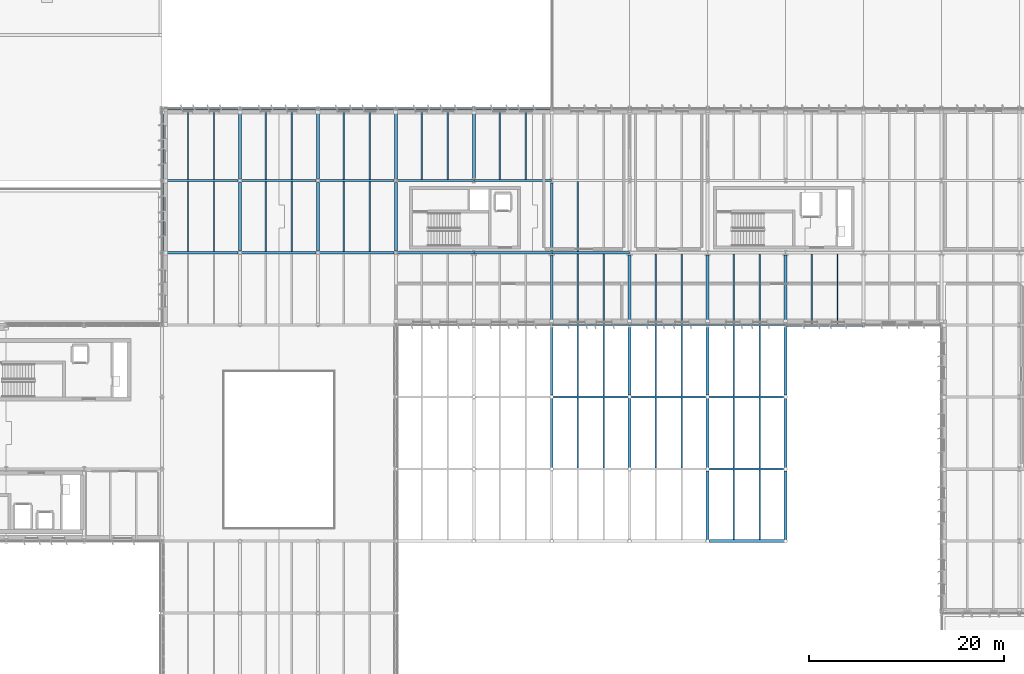
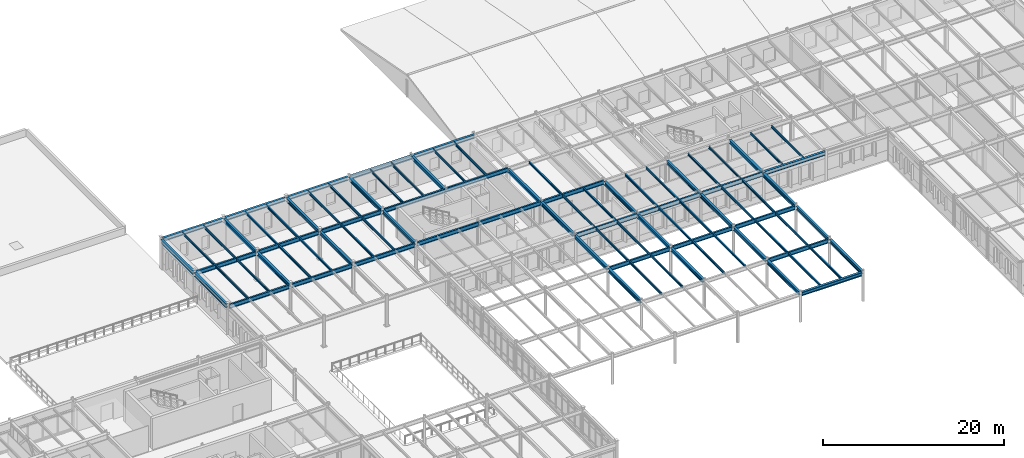
# One storey, part 25 of 63: 88 beams.
"""IFC4 building model written with IfcOpenShell, lengths in metres."""

from ifc_helpers import new_model, si_unit, direction, frame, origin, origin_2d, place, context, subcontext, project, spatial, i_section, extrude, material, material_profile, profile_set, type_object, element, save


model = new_model("IFC4")

# Units and contexts
model_context = context("Model", 3, precision=1e-05, world=origin(), true_north=direction((0.0, 1.0)))
body_context = subcontext(model_context, "Body", "Model", "MODEL_VIEW")
ifc_project = project(units=[si_unit("LENGTHUNIT", "METRE"), si_unit("AREAUNIT", "SQUARE_METRE"), si_unit("VOLUMEUNIT", "CUBIC_METRE"), si_unit("PLANEANGLEUNIT", "RADIAN"), si_unit("MASSUNIT", "GRAM", prefix="KILO")], contexts=[model_context])

# Site, building, storey
site_placement = place(None, origin())
site = spatial("IfcSite", under=ifc_project, at=site_placement, CompositionType="ELEMENT")
building_placement = place(site_placement, origin())
building = spatial("IfcBuilding", under=site, at=building_placement, Name="Valkorina Park Police Headquarters", CompositionType="ELEMENT")
storey_placement = place(building_placement, frame((0.0, 0.0, 9.89990234375)))
storey = spatial("IfcBuildingStorey", under=building, at=storey_placement, Name="L03", CompositionType="ELEMENT", Elevation=9.89990234375)

# Beams
ifc_material = material(Name="Steel S355", Category="steel")
ifc_material_profile_1 = material_profile(ifc_material, i_section(OverallWidth=0.300048828125, OverallDepth=0.489990234375, WebThickness=0.011962890625, FlangeThickness=0.02294921875, FilletRadius=0.027099609375, at=origin_2d()), Name="HEA 500")
ifc_profile_set_1 = profile_set([ifc_material_profile_1], Name="Steel S355")
beam_type_1 = type_object("IfcBeamType", Name="BM-S355-HEA500-BM", PredefinedType="BEAM", material=ifc_profile_set_1)
for number, where, z_axis, x_axis, name in (
    (1, (64.800048828125, 66.77783203125, 3.675048828125), (0.0, 1.0, 0.0), (-1.0, 0.0, 0.0), "L03 Framing Beam 2020"),
    (2, (64.800048828125, 74.177734375, 3.675048828125), (0.0, 1.0, 0.0), (-1.0, 0.0, 0.0), "L03 Framing Beam 2023"),
    (3, (72.800048828125, 66.77783203125, 3.675048828125), (0.0, 1.0, 0.0), (-1.0, 0.0, 0.0), "L03 Framing Beam 2035"),
    (4, (72.800048828125, 74.177734375, 3.675048828125), (0.0, 1.0, 0.0), (-1.0, 0.0, 0.0), "L03 Framing Beam 2038"),
    (5, (80.800048828125, 66.77783203125, 3.675048828125), (0.0, 1.0, 0.0), (-1.0, 0.0, 0.0), "L03 Framing Beam 2055"),
    (6, (80.800048828125, 74.177734375, 3.675048828125), (0.0, 1.0, 0.0), (-1.0, 0.0, 0.0), "L03 Framing Beam 2056"),
):
    element("IfcBeam", number, at=place(storey_placement, frame(where, z_axis=z_axis, x_axis=x_axis)), inside=storey, type_object=beam_type_1, Name=name, PredefinedType="BEAM", context=body_context, shape_type="SweptSolid", body=[
        extrude(i_section(OverallWidth=0.300048828125, OverallDepth=0.489990234375, WebThickness=0.011962890625, FlangeThickness=0.02294921875, FilletRadius=0.027099609375, at=origin_2d()), origin(), (0.0, 0.0, 1.0), 7.04443359375),
    ])
beam_1_placement = place(storey_placement, frame((88.800048828125, 74.22509765625, 3.710205078125), z_axis=(0.0, 1.0, 0.0), x_axis=(-1.0, 0.0, 0.0)))
element("IfcBeam", 7, at=beam_1_placement, inside=storey, type_object=beam_type_1, Name="L03 Framing Beam 2071", PredefinedType="BEAM", context=body_context, shape_type="SweptSolid", body=[
    extrude(i_section(OverallWidth=0.300048828125, OverallDepth=0.489990234375, WebThickness=0.011962890625, FlangeThickness=0.02294921875, FilletRadius=0.027099609375, at=origin_2d()), origin(), (0.0, 0.0, 1.0), 6.949951171875),
])
beam_2_placement = place(storey_placement, frame((96.800048828125, 44.577880859375, 3.710205078125), z_axis=(0.0, 1.0, 0.0), x_axis=(-1.0, 0.0, 0.0)))
element("IfcBeam", 8, at=beam_2_placement, inside=storey, type_object=beam_type_1, Name="L03 Framing Beam 2077", PredefinedType="BEAM", context=body_context, shape_type="SweptSolid", body=[
    extrude(i_section(OverallWidth=0.300048828125, OverallDepth=0.489990234375, WebThickness=0.011962890625, FlangeThickness=0.02294921875, FilletRadius=0.027099609375, at=origin_2d()), origin(), (0.0, 0.0, 1.0), 7.04443359375),
])
beam_3_placement = place(storey_placement, frame((96.800048828125, 51.977783203125, 3.710205078125), z_axis=(0.0, 1.0, 0.0), x_axis=(-1.0, 0.0, 0.0)))
element("IfcBeam", 9, at=beam_3_placement, inside=storey, type_object=beam_type_1, Name="L03 Framing Beam 2080", PredefinedType="BEAM", context=body_context, shape_type="SweptSolid", body=[
    extrude(i_section(OverallWidth=0.300048828125, OverallDepth=0.489990234375, WebThickness=0.011962890625, FlangeThickness=0.02294921875, FilletRadius=0.027099609375, at=origin_2d()), origin(), (0.0, 0.0, 1.0), 6.997314453125),
])
for number, where, z_axis, x_axis, name in (
    (10, (96.800048828125, 59.425048828125, 3.710205078125), (0.0, 1.0, 0.0), (-1.0, 0.0, 0.0), "L03 Framing Beam 2083"),
    (11, (96.800048828125, 66.824951171875, 3.710205078125), (0.0, 1.0, 0.0), (-1.0, 0.0, 0.0), "L03 Framing Beam 2086"),
):
    element("IfcBeam", number, at=place(storey_placement, frame(where, z_axis=z_axis, x_axis=x_axis)), inside=storey, type_object=beam_type_1, Name=name, PredefinedType="BEAM", context=body_context, shape_type="SweptSolid", body=[
        extrude(i_section(OverallWidth=0.300048828125, OverallDepth=0.489990234375, WebThickness=0.011962890625, FlangeThickness=0.02294921875, FilletRadius=0.027099609375, at=origin_2d()), origin(), (0.0, 0.0, 1.0), 6.949951171875),
    ])
beam_4_placement = place(storey_placement, frame((104.800048828125, 44.577880859375, 3.710205078125), z_axis=(0.0, 1.0, 0.0), x_axis=(-1.0, 0.0, 0.0)))
element("IfcBeam", 12, at=beam_4_placement, inside=storey, type_object=beam_type_1, Name="L03 Framing Beam 2095", PredefinedType="BEAM", context=body_context, shape_type="SweptSolid", body=[
    extrude(i_section(OverallWidth=0.300048828125, OverallDepth=0.489990234375, WebThickness=0.011962890625, FlangeThickness=0.02294921875, FilletRadius=0.027099609375, at=origin_2d()), origin(), (0.0, 0.0, 1.0), 7.04443359375),
])
beam_5_placement = place(storey_placement, frame((104.800048828125, 51.977783203125, 3.710205078125), z_axis=(0.0, 1.0, 0.0), x_axis=(-1.0, 0.0, 0.0)))
element("IfcBeam", 13, at=beam_5_placement, inside=storey, type_object=beam_type_1, Name="L03 Framing Beam 2098", PredefinedType="BEAM", context=body_context, shape_type="SweptSolid", body=[
    extrude(i_section(OverallWidth=0.300048828125, OverallDepth=0.489990234375, WebThickness=0.011962890625, FlangeThickness=0.02294921875, FilletRadius=0.027099609375, at=origin_2d()), origin(), (0.0, 0.0, 1.0), 6.997314453125),
])
beam_6_placement = place(storey_placement, frame((104.800048828125, 59.425048828125, 3.710205078125), z_axis=(0.0, 1.0, 0.0), x_axis=(-1.0, 0.0, 0.0)))
element("IfcBeam", 14, at=beam_6_placement, inside=storey, type_object=beam_type_1, Name="L03 Framing Beam 2101", PredefinedType="BEAM", context=body_context, shape_type="SweptSolid", body=[
    extrude(i_section(OverallWidth=0.300048828125, OverallDepth=0.489990234375, WebThickness=0.011962890625, FlangeThickness=0.02294921875, FilletRadius=0.027099609375, at=origin_2d()), origin(), (0.0, 0.0, 1.0), 6.949951171875),
])
for number, where, z_axis, x_axis, name in (
    (15, (112.800048828125, 37.177734375, 3.710205078125), (0.0, 1.0, 0.0), (-1.0, 0.0, 0.0), "L03 Framing Beam 2110"),
    (16, (112.800048828125, 44.577880859375, 3.710205078125), (0.0, 1.0, 0.0), (-1.0, 0.0, 0.0), "L03 Framing Beam 2113"),
):
    element("IfcBeam", number, at=place(storey_placement, frame(where, z_axis=z_axis, x_axis=x_axis)), inside=storey, type_object=beam_type_1, Name=name, PredefinedType="BEAM", context=body_context, shape_type="SweptSolid", body=[
        extrude(i_section(OverallWidth=0.300048828125, OverallDepth=0.489990234375, WebThickness=0.011962890625, FlangeThickness=0.02294921875, FilletRadius=0.027099609375, at=origin_2d()), origin(), (0.0, 0.0, 1.0), 7.04443359375),
    ])
beam_7_placement = place(storey_placement, frame((112.800048828125, 51.977783203125, 3.710205078125), z_axis=(0.0, 1.0, 0.0), x_axis=(-1.0, 0.0, 0.0)))
element("IfcBeam", 17, at=beam_7_placement, inside=storey, type_object=beam_type_1, Name="L03 Framing Beam 2116", PredefinedType="BEAM", context=body_context, shape_type="SweptSolid", body=[
    extrude(i_section(OverallWidth=0.300048828125, OverallDepth=0.489990234375, WebThickness=0.011962890625, FlangeThickness=0.02294921875, FilletRadius=0.027099609375, at=origin_2d()), origin(), (0.0, 0.0, 1.0), 6.997314453125),
])
for number, where, z_axis, x_axis, name in (
    (18, (112.800048828125, 59.425048828125, 3.710205078125), (0.0, 1.0, 0.0), (-1.0, 0.0, 0.0), "L03 Framing Beam 2119"),
    (19, (120.800048828125, 59.425048828125, 3.710205078125), (0.0, 1.0, 0.0), (-1.0, 0.0, 0.0), "L03 Framing Beam 2129"),
):
    element("IfcBeam", number, at=place(storey_placement, frame(where, z_axis=z_axis, x_axis=x_axis)), inside=storey, type_object=beam_type_1, Name=name, PredefinedType="BEAM", context=body_context, shape_type="SweptSolid", body=[
        extrude(i_section(OverallWidth=0.300048828125, OverallDepth=0.489990234375, WebThickness=0.011962890625, FlangeThickness=0.02294921875, FilletRadius=0.027099609375, at=origin_2d()), origin(), (0.0, 0.0, 1.0), 6.949951171875),
    ])
ifc_material_profile_2 = material_profile(ifc_material, i_section(OverallWidth=0.300048828125, OverallDepth=0.489990234375, WebThickness=0.011962890625, FlangeThickness=0.02294921875, FilletRadius=0.027099609375, at=origin_2d()), Name="HEA 500")
ifc_profile_set_2 = profile_set([ifc_material_profile_2], Name="Steel S355")
beam_type_2 = type_object("IfcBeamType", Name="BM-S355-HEA500-SPN", PredefinedType="SPANDREL", material=ifc_profile_set_2)
beam_8_placement = place(storey_placement, frame((112.977783203125, 37.0, 3.710205078125), z_axis=(1.0, 0.0, 0.0), x_axis=(0.0, 1.0, 0.0)))
element("IfcBeam", 20, at=beam_8_placement, inside=storey, type_object=beam_type_2, Name="L03 Framing Beam 1866", PredefinedType="SPANDREL", context=body_context, shape_type="SweptSolid", body=[
    extrude(i_section(OverallWidth=0.300048828125, OverallDepth=0.489990234375, WebThickness=0.011962890625, FlangeThickness=0.02294921875, FilletRadius=0.027099609375, at=origin_2d()), origin(), (0.0, 0.0, 1.0), 7.64453125),
])
beam_9_placement = place(storey_placement, frame((120.806884765625, 59.199951171875, 3.710205078125), z_axis=(1.0, 0.0, 0.0), x_axis=(0.0, 1.0, 0.0)))
element("IfcBeam", 21, at=beam_9_placement, inside=storey, type_object=beam_type_2, Name="L03 Framing Beam 1912", PredefinedType="SPANDREL", context=body_context, shape_type="SweptSolid", body=[
    extrude(i_section(OverallWidth=0.300048828125, OverallDepth=0.489990234375, WebThickness=0.011962890625, FlangeThickness=0.02294921875, FilletRadius=0.027099609375, at=origin_2d()), origin(), (0.0, 0.0, 1.0), 7.986083984375),
])
for number, where, z_axis, x_axis, name in (
    (22, (56.977783203125, 81.39990234375, 3.675048828125), (1.0, 0.0, 0.0), (0.0, 1.0, 0.0), "L03 Framing Beam 1943"),
    (23, (64.977783203125, 81.39990234375, 3.675048828125), (1.0, 0.0, 0.0), (0.0, 1.0, 0.0), "L03 Framing Beam 1944"),
    (24, (72.977783203125, 81.39990234375, 3.675048828125), (1.0, 0.0, 0.0), (0.0, 1.0, 0.0), "L03 Framing Beam 1945"),
):
    element("IfcBeam", number, at=place(storey_placement, frame(where, z_axis=z_axis, x_axis=x_axis)), inside=storey, type_object=beam_type_2, Name=name, PredefinedType="SPANDREL", context=body_context, shape_type="SweptSolid", body=[
        extrude(i_section(OverallWidth=0.300048828125, OverallDepth=0.489990234375, WebThickness=0.011962890625, FlangeThickness=0.02294921875, FilletRadius=0.027099609375, at=origin_2d()), origin(), (0.0, 0.0, 1.0), 7.64453125),
    ])
beam_10_placement = place(storey_placement, frame((80.977783203125, 81.39990234375, 3.675048828125), z_axis=(1.0, 0.0, 0.0), x_axis=(0.0, 1.0, 0.0)))
element("IfcBeam", 25, at=beam_10_placement, inside=storey, type_object=beam_type_2, Name="L03 Framing Beam 1946", PredefinedType="SPANDREL", context=body_context, shape_type="SweptSolid", body=[
    extrude(i_section(OverallWidth=0.300048828125, OverallDepth=0.489990234375, WebThickness=0.011962890625, FlangeThickness=0.02294921875, FilletRadius=0.027099609375, at=origin_2d()), origin(), (0.0, 0.0, 1.0), 7.815185546875),
])
beam_11_placement = place(storey_placement, frame((88.806884765625, 81.39990234375, 3.710205078125), z_axis=(1.0, 0.0, 0.0), x_axis=(0.0, 1.0, 0.0)))
element("IfcBeam", 26, at=beam_11_placement, inside=storey, type_object=beam_type_2, Name="L03 Framing Beam 1947", PredefinedType="SPANDREL", context=body_context, shape_type="SweptSolid", body=[
    extrude(i_section(OverallWidth=0.300048828125, OverallDepth=0.489990234375, WebThickness=0.011962890625, FlangeThickness=0.02294921875, FilletRadius=0.027099609375, at=origin_2d()), origin(), (0.0, 0.0, 1.0), 7.986083984375),
])
for number, where, z_axis, x_axis, name in (
    (27, (56.800048828125, 66.77783203125, 3.675048828125), (0.0, 1.0, 0.0), (-1.0, 0.0, 0.0), "L03 Framing Beam 2005"),
    (28, (56.800048828125, 74.177734375, 3.675048828125), (0.0, 1.0, 0.0), (-1.0, 0.0, 0.0), "L03 Framing Beam 2008"),
    (29, (120.800048828125, 37.177734375, 3.710205078125), (0.0, 1.0, 0.0), (-1.0, 0.0, 0.0), "L03 Framing Beam 2126"),
    (30, (120.800048828125, 44.577880859375, 3.710205078125), (0.0, 1.0, 0.0), (-1.0, 0.0, 0.0), "L03 Framing Beam 2127"),
):
    element("IfcBeam", number, at=place(storey_placement, frame(where, z_axis=z_axis, x_axis=x_axis)), inside=storey, type_object=beam_type_2, Name=name, PredefinedType="SPANDREL", context=body_context, shape_type="SweptSolid", body=[
        extrude(i_section(OverallWidth=0.300048828125, OverallDepth=0.489990234375, WebThickness=0.011962890625, FlangeThickness=0.02294921875, FilletRadius=0.027099609375, at=origin_2d()), origin(), (0.0, 0.0, 1.0), 7.04443359375),
    ])
beam_12_placement = place(storey_placement, frame((120.800048828125, 51.977783203125, 3.710205078125), z_axis=(0.0, 1.0, 0.0), x_axis=(-1.0, 0.0, 0.0)))
element("IfcBeam", 31, at=beam_12_placement, inside=storey, type_object=beam_type_2, Name="L03 Framing Beam 2128", PredefinedType="SPANDREL", context=body_context, shape_type="SweptSolid", body=[
    extrude(i_section(OverallWidth=0.300048828125, OverallDepth=0.489990234375, WebThickness=0.011962890625, FlangeThickness=0.02294921875, FilletRadius=0.027099609375, at=origin_2d()), origin(), (0.0, 0.0, 1.0), 6.997314453125),
])
ifc_material_profile_3 = material_profile(ifc_material, i_section(OverallWidth=0.14990234375, OverallDepth=0.300048828125, WebThickness=0.007080078125, FlangeThickness=0.0107421875, FilletRadius=0.014892578125, at=origin_2d()), Name="IPE 300")
ifc_profile_set_3 = profile_set([ifc_material_profile_3], Name="Steel S355")
beam_type_3 = type_object("IfcBeamType", Name="BM-S355-IPE300-JST", PredefinedType="JOIST", material=ifc_profile_set_3)
for number, where, z_axis, x_axis, name in (
    (32, (59.466796875, 66.705078125, 3.77001953125), (0.0, 1.0, 0.0), (-1.0, 0.0, 0.0), "L03 Framing Beam 2006"),
    (33, (62.13330078125, 66.705078125, 3.77001953125), (0.0, 1.0, 0.0), (-1.0, 0.0, 0.0), "L03 Framing Beam 2007"),
):
    element("IfcBeam", number, at=place(storey_placement, frame(where, z_axis=z_axis, x_axis=x_axis)), inside=storey, type_object=beam_type_3, Name=name, PredefinedType="JOIST", context=body_context, shape_type="SweptSolid", body=[
        extrude(i_section(OverallWidth=0.14990234375, OverallDepth=0.300048828125, WebThickness=0.007080078125, FlangeThickness=0.0107421875, FilletRadius=0.014892578125, at=origin_2d()), origin(), (0.0, 0.0, 1.0), 7.18994140625),
    ])
for number, where, z_axis, x_axis, name in (
    (34, (59.466796875, 74.10498046875, 3.77001953125), (0.0, 1.0, 0.0), (-1.0, 0.0, 0.0), "L03 Framing Beam 2009"),
    (35, (62.13330078125, 74.10498046875, 3.77001953125), (0.0, 1.0, 0.0), (-1.0, 0.0, 0.0), "L03 Framing Beam 2010"),
):
    element("IfcBeam", number, at=place(storey_placement, frame(where, z_axis=z_axis, x_axis=x_axis)), inside=storey, type_object=beam_type_3, Name=name, PredefinedType="JOIST", context=body_context, shape_type="SweptSolid", body=[
        extrude(i_section(OverallWidth=0.14990234375, OverallDepth=0.300048828125, WebThickness=0.007080078125, FlangeThickness=0.0107421875, FilletRadius=0.014892578125, at=origin_2d()), origin(), (0.0, 0.0, 1.0), 7.14501953125),
    ])
for number, where, z_axis, x_axis, name in (
    (36, (67.466796875, 66.705078125, 3.77001953125), (0.0, 1.0, 0.0), (-1.0, 0.0, 0.0), "L03 Framing Beam 2021"),
    (37, (70.13330078125, 66.705078125, 3.77001953125), (0.0, 1.0, 0.0), (-1.0, 0.0, 0.0), "L03 Framing Beam 2022"),
):
    element("IfcBeam", number, at=place(storey_placement, frame(where, z_axis=z_axis, x_axis=x_axis)), inside=storey, type_object=beam_type_3, Name=name, PredefinedType="JOIST", context=body_context, shape_type="SweptSolid", body=[
        extrude(i_section(OverallWidth=0.14990234375, OverallDepth=0.300048828125, WebThickness=0.007080078125, FlangeThickness=0.0107421875, FilletRadius=0.014892578125, at=origin_2d()), origin(), (0.0, 0.0, 1.0), 7.18994140625),
    ])
for number, where, z_axis, x_axis, name in (
    (38, (67.466796875, 74.10498046875, 3.77001953125), (0.0, 1.0, 0.0), (-1.0, 0.0, 0.0), "L03 Framing Beam 2024"),
    (39, (70.13330078125, 74.10498046875, 3.77001953125), (0.0, 1.0, 0.0), (-1.0, 0.0, 0.0), "L03 Framing Beam 2025"),
):
    element("IfcBeam", number, at=place(storey_placement, frame(where, z_axis=z_axis, x_axis=x_axis)), inside=storey, type_object=beam_type_3, Name=name, PredefinedType="JOIST", context=body_context, shape_type="SweptSolid", body=[
        extrude(i_section(OverallWidth=0.14990234375, OverallDepth=0.300048828125, WebThickness=0.007080078125, FlangeThickness=0.0107421875, FilletRadius=0.014892578125, at=origin_2d()), origin(), (0.0, 0.0, 1.0), 7.14501953125),
    ])
for number, where, z_axis, x_axis, name in (
    (40, (75.466796875, 66.705078125, 3.77001953125), (0.0, 1.0, 0.0), (-1.0, 0.0, 0.0), "L03 Framing Beam 2036"),
    (41, (78.13330078125, 66.705078125, 3.77001953125), (0.0, 1.0, 0.0), (-1.0, 0.0, 0.0), "L03 Framing Beam 2037"),
):
    element("IfcBeam", number, at=place(storey_placement, frame(where, z_axis=z_axis, x_axis=x_axis)), inside=storey, type_object=beam_type_3, Name=name, PredefinedType="JOIST", context=body_context, shape_type="SweptSolid", body=[
        extrude(i_section(OverallWidth=0.14990234375, OverallDepth=0.300048828125, WebThickness=0.007080078125, FlangeThickness=0.0107421875, FilletRadius=0.014892578125, at=origin_2d()), origin(), (0.0, 0.0, 1.0), 7.18994140625),
    ])
for number, where, z_axis, x_axis, name in (
    (42, (75.466796875, 74.10498046875, 3.77001953125), (0.0, 1.0, 0.0), (-1.0, 0.0, 0.0), "L03 Framing Beam 2039"),
    (43, (78.13330078125, 74.10498046875, 3.77001953125), (0.0, 1.0, 0.0), (-1.0, 0.0, 0.0), "L03 Framing Beam 2040"),
    (44, (83.466796875, 74.10498046875, 3.80517578125), (0.0, 1.0, 0.0), (-1.0, 0.0, 0.0), "L03 Framing Beam 2057"),
    (45, (86.13330078125, 74.10498046875, 3.80517578125), (0.0, 1.0, 0.0), (-1.0, 0.0, 0.0), "L03 Framing Beam 2058"),
    (46, (91.466796875, 74.10498046875, 3.80517578125), (0.0, 1.0, 0.0), (-1.0, 0.0, 0.0), "L03 Framing Beam 2072"),
    (47, (94.13330078125, 74.10498046875, 3.80517578125), (0.0, 1.0, 0.0), (-1.0, 0.0, 0.0), "L03 Framing Beam 2073"),
):
    element("IfcBeam", number, at=place(storey_placement, frame(where, z_axis=z_axis, x_axis=x_axis)), inside=storey, type_object=beam_type_3, Name=name, PredefinedType="JOIST", context=body_context, shape_type="SweptSolid", body=[
        extrude(i_section(OverallWidth=0.14990234375, OverallDepth=0.300048828125, WebThickness=0.007080078125, FlangeThickness=0.0107421875, FilletRadius=0.014892578125, at=origin_2d()), origin(), (0.0, 0.0, 1.0), 7.14501953125),
    ])
for number, where, z_axis, x_axis, name in (
    (48, (99.466796875, 44.5048828125, 3.80517578125), (0.0, 1.0, 0.0), (-1.0, 0.0, 0.0), "L03 Framing Beam 2078"),
    (49, (102.13330078125, 44.5048828125, 3.80517578125), (0.0, 1.0, 0.0), (-1.0, 0.0, 0.0), "L03 Framing Beam 2079"),
):
    element("IfcBeam", number, at=place(storey_placement, frame(where, z_axis=z_axis, x_axis=x_axis)), inside=storey, type_object=beam_type_3, Name=name, PredefinedType="JOIST", context=body_context, shape_type="SweptSolid", body=[
        extrude(i_section(OverallWidth=0.14990234375, OverallDepth=0.300048828125, WebThickness=0.007080078125, FlangeThickness=0.0107421875, FilletRadius=0.014892578125, at=origin_2d()), origin(), (0.0, 0.0, 1.0), 7.190185546875),
    ])
for number, where, z_axis, x_axis, name in (
    (50, (99.466796875, 51.905029296875, 3.80517578125), (0.0, 1.0, 0.0), (-1.0, 0.0, 0.0), "L03 Framing Beam 2081"),
    (51, (102.13330078125, 51.905029296875, 3.80517578125), (0.0, 1.0, 0.0), (-1.0, 0.0, 0.0), "L03 Framing Beam 2082"),
):
    element("IfcBeam", number, at=place(storey_placement, frame(where, z_axis=z_axis, x_axis=x_axis)), inside=storey, type_object=beam_type_3, Name=name, PredefinedType="JOIST", context=body_context, shape_type="SweptSolid", body=[
        extrude(i_section(OverallWidth=0.14990234375, OverallDepth=0.300048828125, WebThickness=0.007080078125, FlangeThickness=0.0107421875, FilletRadius=0.014892578125, at=origin_2d()), origin(), (0.0, 0.0, 1.0), 7.18994140625),
    ])
for number, where, z_axis, x_axis, name in (
    (52, (99.466796875, 59.304931640625, 3.80517578125), (0.0, 1.0, 0.0), (-1.0, 0.0, 0.0), "L03 Framing Beam 2084"),
    (53, (102.13330078125, 59.304931640625, 3.80517578125), (0.0, 1.0, 0.0), (-1.0, 0.0, 0.0), "L03 Framing Beam 2085"),
):
    element("IfcBeam", number, at=place(storey_placement, frame(where, z_axis=z_axis, x_axis=x_axis)), inside=storey, type_object=beam_type_3, Name=name, PredefinedType="JOIST", context=body_context, shape_type="SweptSolid", body=[
        extrude(i_section(OverallWidth=0.14990234375, OverallDepth=0.300048828125, WebThickness=0.007080078125, FlangeThickness=0.0107421875, FilletRadius=0.014892578125, at=origin_2d()), origin(), (0.0, 0.0, 1.0), 7.190185546875),
    ])
beam_13_placement = place(storey_placement, frame((99.466796875, 66.705078125, 3.80517578125), z_axis=(0.0, 1.0, 0.0), x_axis=(-1.0, 0.0, 0.0)))
element("IfcBeam", 54, at=beam_13_placement, inside=storey, type_object=beam_type_3, Name="L03 Framing Beam 2087", PredefinedType="JOIST", context=body_context, shape_type="SweptSolid", body=[
    extrude(i_section(OverallWidth=0.14990234375, OverallDepth=0.300048828125, WebThickness=0.007080078125, FlangeThickness=0.0107421875, FilletRadius=0.014892578125, at=origin_2d()), origin(), (0.0, 0.0, 1.0), 7.18994140625),
])
for number, where, z_axis, x_axis, name in (
    (55, (107.466796875, 44.5048828125, 3.80517578125), (0.0, 1.0, 0.0), (-1.0, 0.0, 0.0), "L03 Framing Beam 2096"),
    (56, (110.13330078125, 44.5048828125, 3.80517578125), (0.0, 1.0, 0.0), (-1.0, 0.0, 0.0), "L03 Framing Beam 2097"),
):
    element("IfcBeam", number, at=place(storey_placement, frame(where, z_axis=z_axis, x_axis=x_axis)), inside=storey, type_object=beam_type_3, Name=name, PredefinedType="JOIST", context=body_context, shape_type="SweptSolid", body=[
        extrude(i_section(OverallWidth=0.14990234375, OverallDepth=0.300048828125, WebThickness=0.007080078125, FlangeThickness=0.0107421875, FilletRadius=0.014892578125, at=origin_2d()), origin(), (0.0, 0.0, 1.0), 7.190185546875),
    ])
for number, where, z_axis, x_axis, name in (
    (57, (107.466796875, 51.905029296875, 3.80517578125), (0.0, 1.0, 0.0), (-1.0, 0.0, 0.0), "L03 Framing Beam 2099"),
    (58, (110.13330078125, 51.905029296875, 3.80517578125), (0.0, 1.0, 0.0), (-1.0, 0.0, 0.0), "L03 Framing Beam 2100"),
):
    element("IfcBeam", number, at=place(storey_placement, frame(where, z_axis=z_axis, x_axis=x_axis)), inside=storey, type_object=beam_type_3, Name=name, PredefinedType="JOIST", context=body_context, shape_type="SweptSolid", body=[
        extrude(i_section(OverallWidth=0.14990234375, OverallDepth=0.300048828125, WebThickness=0.007080078125, FlangeThickness=0.0107421875, FilletRadius=0.014892578125, at=origin_2d()), origin(), (0.0, 0.0, 1.0), 7.18994140625),
    ])
for number, where, z_axis, x_axis, name in (
    (59, (107.466796875, 59.304931640625, 3.80517578125), (0.0, 1.0, 0.0), (-1.0, 0.0, 0.0), "L03 Framing Beam 2102"),
    (60, (110.13330078125, 59.304931640625, 3.80517578125), (0.0, 1.0, 0.0), (-1.0, 0.0, 0.0), "L03 Framing Beam 2103"),
):
    element("IfcBeam", number, at=place(storey_placement, frame(where, z_axis=z_axis, x_axis=x_axis)), inside=storey, type_object=beam_type_3, Name=name, PredefinedType="JOIST", context=body_context, shape_type="SweptSolid", body=[
        extrude(i_section(OverallWidth=0.14990234375, OverallDepth=0.300048828125, WebThickness=0.007080078125, FlangeThickness=0.0107421875, FilletRadius=0.014892578125, at=origin_2d()), origin(), (0.0, 0.0, 1.0), 7.190185546875),
    ])
for number, where, z_axis, x_axis, name in (
    (61, (115.466796875, 37.14990234375, 3.80517578125), (0.0, 1.0, 0.0), (-1.0, 0.0, 0.0), "L03 Framing Beam 2111"),
    (62, (118.13330078125, 37.14990234375, 3.80517578125), (0.0, 1.0, 0.0), (-1.0, 0.0, 0.0), "L03 Framing Beam 2112"),
):
    element("IfcBeam", number, at=place(storey_placement, frame(where, z_axis=z_axis, x_axis=x_axis)), inside=storey, type_object=beam_type_3, Name=name, PredefinedType="JOIST", context=body_context, shape_type="SweptSolid", body=[
        extrude(i_section(OverallWidth=0.14990234375, OverallDepth=0.300048828125, WebThickness=0.007080078125, FlangeThickness=0.0107421875, FilletRadius=0.014892578125, at=origin_2d()), origin(), (0.0, 0.0, 1.0), 7.14501953125),
    ])
for number, where, z_axis, x_axis, name in (
    (63, (115.466796875, 44.5048828125, 3.80517578125), (0.0, 1.0, 0.0), (-1.0, 0.0, 0.0), "L03 Framing Beam 2114"),
    (64, (118.13330078125, 44.5048828125, 3.80517578125), (0.0, 1.0, 0.0), (-1.0, 0.0, 0.0), "L03 Framing Beam 2115"),
):
    element("IfcBeam", number, at=place(storey_placement, frame(where, z_axis=z_axis, x_axis=x_axis)), inside=storey, type_object=beam_type_3, Name=name, PredefinedType="JOIST", context=body_context, shape_type="SweptSolid", body=[
        extrude(i_section(OverallWidth=0.14990234375, OverallDepth=0.300048828125, WebThickness=0.007080078125, FlangeThickness=0.0107421875, FilletRadius=0.014892578125, at=origin_2d()), origin(), (0.0, 0.0, 1.0), 7.190185546875),
    ])
for number, where, z_axis, x_axis, name in (
    (65, (115.466796875, 51.905029296875, 3.80517578125), (0.0, 1.0, 0.0), (-1.0, 0.0, 0.0), "L03 Framing Beam 2117"),
    (66, (118.13330078125, 51.905029296875, 3.80517578125), (0.0, 1.0, 0.0), (-1.0, 0.0, 0.0), "L03 Framing Beam 2118"),
):
    element("IfcBeam", number, at=place(storey_placement, frame(where, z_axis=z_axis, x_axis=x_axis)), inside=storey, type_object=beam_type_3, Name=name, PredefinedType="JOIST", context=body_context, shape_type="SweptSolid", body=[
        extrude(i_section(OverallWidth=0.14990234375, OverallDepth=0.300048828125, WebThickness=0.007080078125, FlangeThickness=0.0107421875, FilletRadius=0.014892578125, at=origin_2d()), origin(), (0.0, 0.0, 1.0), 7.18994140625),
    ])
for number, where, z_axis, x_axis, name in (
    (67, (115.466796875, 59.304931640625, 3.80517578125), (0.0, 1.0, 0.0), (-1.0, 0.0, 0.0), "L03 Framing Beam 2120"),
    (68, (118.13330078125, 59.304931640625, 3.80517578125), (0.0, 1.0, 0.0), (-1.0, 0.0, 0.0), "L03 Framing Beam 2121"),
):
    element("IfcBeam", number, at=place(storey_placement, frame(where, z_axis=z_axis, x_axis=x_axis)), inside=storey, type_object=beam_type_3, Name=name, PredefinedType="JOIST", context=body_context, shape_type="SweptSolid", body=[
        extrude(i_section(OverallWidth=0.14990234375, OverallDepth=0.300048828125, WebThickness=0.007080078125, FlangeThickness=0.0107421875, FilletRadius=0.014892578125, at=origin_2d()), origin(), (0.0, 0.0, 1.0), 7.190185546875),
    ])
for number, where, z_axis, x_axis, name in (
    (69, (123.466796875, 59.35009765625, 3.80517578125), (0.0, 1.0, 0.0), (-1.0, 0.0, 0.0), "L03 Framing Beam 2130"),
    (70, (126.13330078125, 59.35009765625, 3.80517578125), (0.0, 1.0, 0.0), (-1.0, 0.0, 0.0), "L03 Framing Beam 2131"),
):
    element("IfcBeam", number, at=place(storey_placement, frame(where, z_axis=z_axis, x_axis=x_axis)), inside=storey, type_object=beam_type_3, Name=name, PredefinedType="JOIST", context=body_context, shape_type="SweptSolid", body=[
        extrude(i_section(OverallWidth=0.14990234375, OverallDepth=0.300048828125, WebThickness=0.007080078125, FlangeThickness=0.0107421875, FilletRadius=0.014892578125, at=origin_2d()), origin(), (0.0, 0.0, 1.0), 7.14501953125),
    ])
ifc_material_profile_4 = material_profile(ifc_material, i_section(OverallWidth=0.2099609375, OverallDepth=0.550048828125, WebThickness=0.010986328125, FlangeThickness=0.01708984375, FilletRadius=0.02392578125, at=origin_2d()), Name="IPE 550")
ifc_profile_set_4 = profile_set([ifc_material_profile_4], Name="Steel S355")
beam_type_4 = type_object("IfcBeamType", Name="BM-S355-IPE550-BM", PredefinedType="BEAM", material=ifc_profile_set_4)
for number, where, z_axis, x_axis, name in (
    (71, (112.977783203125, 44.39990234375, 3.68017578125), (1.0, 0.0, 0.0), (0.0, 1.0, 0.0), "L03 Framing Beam 1881"),
    (72, (96.977783203125, 51.800048828125, 3.68017578125), (1.0, 0.0, 0.0), (0.0, 1.0, 0.0), "L03 Framing Beam 1891"),
    (73, (104.977783203125, 51.800048828125, 3.68017578125), (1.0, 0.0, 0.0), (0.0, 1.0, 0.0), "L03 Framing Beam 1892"),
    (74, (112.977783203125, 51.800048828125, 3.68017578125), (1.0, 0.0, 0.0), (0.0, 1.0, 0.0), "L03 Framing Beam 1893"),
):
    element("IfcBeam", number, at=place(storey_placement, frame(where, z_axis=z_axis, x_axis=x_axis)), inside=storey, type_object=beam_type_4, Name=name, PredefinedType="BEAM", context=body_context, shape_type="SweptSolid", body=[
        extrude(i_section(OverallWidth=0.2099609375, OverallDepth=0.550048828125, WebThickness=0.010986328125, FlangeThickness=0.01708984375, FilletRadius=0.02392578125, at=origin_2d()), origin(), (0.0, 0.0, 1.0), 7.64453125),
    ])
for number, where, z_axis, x_axis, name in (
    (75, (96.806884765625, 59.199951171875, 3.68017578125), (1.0, 0.0, 0.0), (0.0, 1.0, 0.0), "L03 Framing Beam 1909"),
    (76, (104.806884765625, 59.199951171875, 3.68017578125), (1.0, 0.0, 0.0), (0.0, 1.0, 0.0), "L03 Framing Beam 1910"),
    (77, (112.806884765625, 59.199951171875, 3.68017578125), (1.0, 0.0, 0.0), (0.0, 1.0, 0.0), "L03 Framing Beam 1911"),
):
    element("IfcBeam", number, at=place(storey_placement, frame(where, z_axis=z_axis, x_axis=x_axis)), inside=storey, type_object=beam_type_4, Name=name, PredefinedType="BEAM", context=body_context, shape_type="SweptSolid", body=[
        extrude(i_section(OverallWidth=0.2099609375, OverallDepth=0.550048828125, WebThickness=0.010986328125, FlangeThickness=0.01708984375, FilletRadius=0.02392578125, at=origin_2d()), origin(), (0.0, 0.0, 1.0), 7.986083984375),
    ])
for number, where, z_axis, x_axis, name in (
    (78, (56.977783203125, 66.60009765625, 3.64501953125), (1.0, 0.0, 0.0), (0.0, 1.0, 0.0), "L03 Framing Beam 1917"),
    (79, (64.977783203125, 66.60009765625, 3.64501953125), (1.0, 0.0, 0.0), (0.0, 1.0, 0.0), "L03 Framing Beam 1918"),
    (80, (72.977783203125, 66.60009765625, 3.64501953125), (1.0, 0.0, 0.0), (0.0, 1.0, 0.0), "L03 Framing Beam 1919"),
):
    element("IfcBeam", number, at=place(storey_placement, frame(where, z_axis=z_axis, x_axis=x_axis)), inside=storey, type_object=beam_type_4, Name=name, PredefinedType="BEAM", context=body_context, shape_type="SweptSolid", body=[
        extrude(i_section(OverallWidth=0.2099609375, OverallDepth=0.550048828125, WebThickness=0.010986328125, FlangeThickness=0.01708984375, FilletRadius=0.02392578125, at=origin_2d()), origin(), (0.0, 0.0, 1.0), 7.64453125),
    ])
beam_14_placement = place(storey_placement, frame((80.977783203125, 66.60009765625, 3.64501953125), z_axis=(1.0, 0.0, 0.0), x_axis=(0.0, 1.0, 0.0)))
element("IfcBeam", 81, at=beam_14_placement, inside=storey, type_object=beam_type_4, Name="L03 Framing Beam 1920", PredefinedType="BEAM", context=body_context, shape_type="SweptSolid", body=[
    extrude(i_section(OverallWidth=0.2099609375, OverallDepth=0.550048828125, WebThickness=0.010986328125, FlangeThickness=0.01708984375, FilletRadius=0.02392578125, at=origin_2d()), origin(), (0.0, 0.0, 1.0), 7.815185546875),
])
for number, where, z_axis, x_axis, name in (
    (82, (88.806884765625, 66.60009765625, 3.68017578125), (1.0, 0.0, 0.0), (0.0, 1.0, 0.0), "L03 Framing Beam 1921"),
    (83, (96.806884765625, 66.60009765625, 3.68017578125), (1.0, 0.0, 0.0), (0.0, 1.0, 0.0), "L03 Framing Beam 1922"),
):
    element("IfcBeam", number, at=place(storey_placement, frame(where, z_axis=z_axis, x_axis=x_axis)), inside=storey, type_object=beam_type_4, Name=name, PredefinedType="BEAM", context=body_context, shape_type="SweptSolid", body=[
        extrude(i_section(OverallWidth=0.2099609375, OverallDepth=0.550048828125, WebThickness=0.010986328125, FlangeThickness=0.01708984375, FilletRadius=0.02392578125, at=origin_2d()), origin(), (0.0, 0.0, 1.0), 7.986083984375),
    ])
for number, where, z_axis, x_axis, name in (
    (84, (56.977783203125, 74.0, 3.64501953125), (1.0, 0.0, 0.0), (0.0, 1.0, 0.0), "L03 Framing Beam 1930"),
    (85, (64.977783203125, 74.0, 3.64501953125), (1.0, 0.0, 0.0), (0.0, 1.0, 0.0), "L03 Framing Beam 1931"),
    (86, (72.977783203125, 74.0, 3.64501953125), (1.0, 0.0, 0.0), (0.0, 1.0, 0.0), "L03 Framing Beam 1932"),
):
    element("IfcBeam", number, at=place(storey_placement, frame(where, z_axis=z_axis, x_axis=x_axis)), inside=storey, type_object=beam_type_4, Name=name, PredefinedType="BEAM", context=body_context, shape_type="SweptSolid", body=[
        extrude(i_section(OverallWidth=0.2099609375, OverallDepth=0.550048828125, WebThickness=0.010986328125, FlangeThickness=0.01708984375, FilletRadius=0.02392578125, at=origin_2d()), origin(), (0.0, 0.0, 1.0), 7.64453125),
    ])
beam_15_placement = place(storey_placement, frame((80.977783203125, 74.0, 3.64501953125), z_axis=(1.0, 0.0, 0.0), x_axis=(0.0, 1.0, 0.0)))
element("IfcBeam", 87, at=beam_15_placement, inside=storey, type_object=beam_type_4, Name="L03 Framing Beam 1933", PredefinedType="BEAM", context=body_context, shape_type="SweptSolid", body=[
    extrude(i_section(OverallWidth=0.2099609375, OverallDepth=0.550048828125, WebThickness=0.010986328125, FlangeThickness=0.01708984375, FilletRadius=0.02392578125, at=origin_2d()), origin(), (0.0, 0.0, 1.0), 7.815185546875),
])
beam_16_placement = place(storey_placement, frame((88.806884765625, 74.0, 3.68017578125), z_axis=(1.0, 0.0, 0.0), x_axis=(0.0, 1.0, 0.0)))
element("IfcBeam", 88, at=beam_16_placement, inside=storey, type_object=beam_type_4, Name="L03 Framing Beam 1934", PredefinedType="BEAM", context=body_context, shape_type="SweptSolid", body=[
    extrude(i_section(OverallWidth=0.2099609375, OverallDepth=0.550048828125, WebThickness=0.010986328125, FlangeThickness=0.01708984375, FilletRadius=0.02392578125, at=origin_2d()), origin(), (0.0, 0.0, 1.0), 7.986083984375),
])

save(model, "model.ifc")
